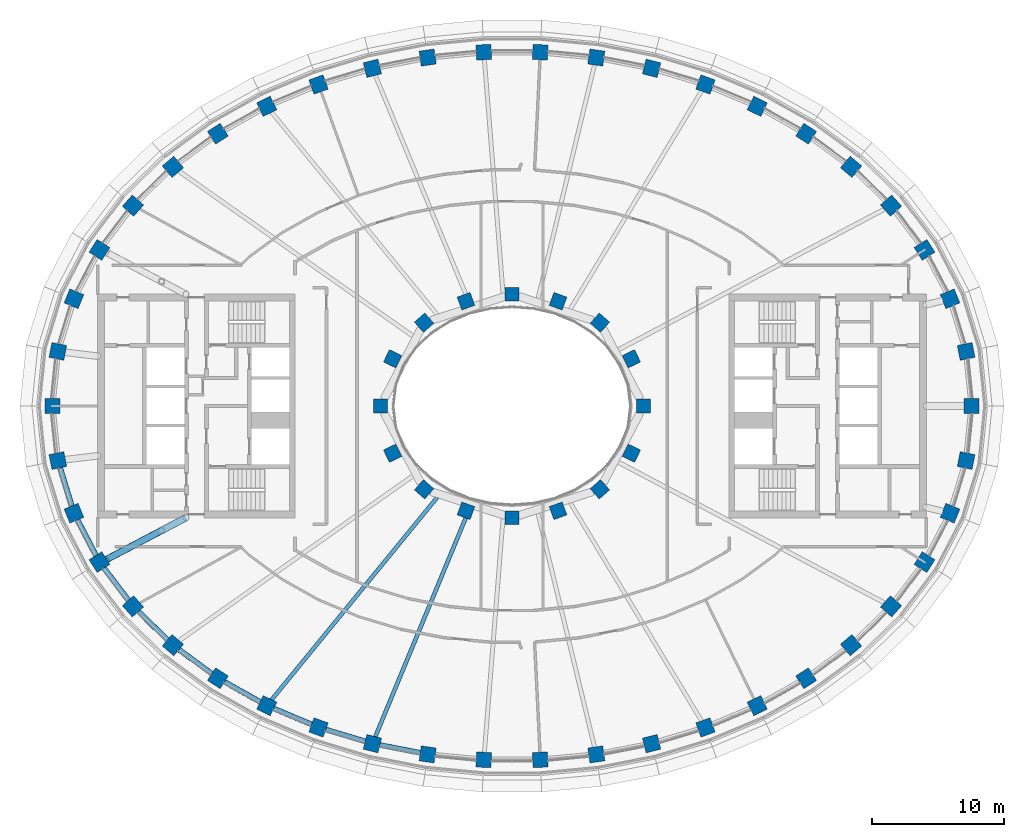
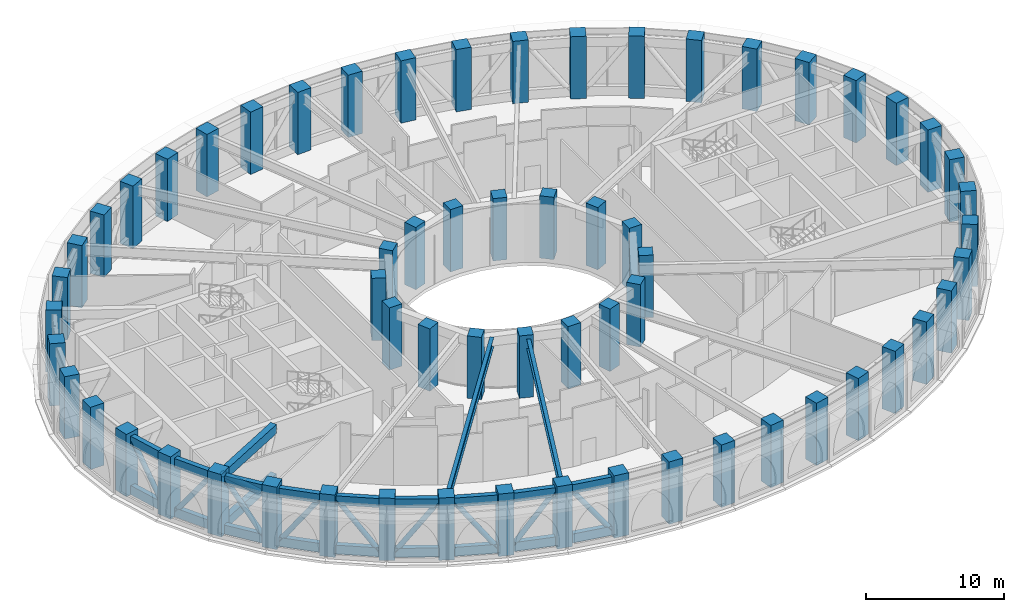
# One storey, part 1 of 25: 62 columns, 22 beams, 10 members.
"""IFC4 building model written with IfcOpenShell, lengths in metres."""

from ifc_helpers import new_model, si_unit, direction, frame, origin, origin_2d, place, context, subcontext, project, spatial, rectangle, hollow_rectangle, hollow_circle, i_section, extrude, material, material_profile, profile_set, type_object, element, save


model = new_model("IFC4")

# Units and contexts
model_context = context("Model", 3, precision=1e-05, world=origin(), true_north=direction((0.0, 1.0)))
body_context = subcontext(model_context, "Body", "Model", "MODEL_VIEW")
ifc_project = project(units=[si_unit("LENGTHUNIT", "METRE"), si_unit("AREAUNIT", "SQUARE_METRE"), si_unit("VOLUMEUNIT", "CUBIC_METRE"), si_unit("PLANEANGLEUNIT", "RADIAN"), si_unit("MASSUNIT", "GRAM", prefix="KILO")], contexts=[model_context])

# Site, building, storey
site_placement = place(None, origin())
site = spatial("IfcSite", under=ifc_project, at=site_placement, CompositionType="ELEMENT")
building_placement = place(site_placement, origin())
building = spatial("IfcBuilding", under=site, at=building_placement, Name="Noorbagh Ring Tower", CompositionType="ELEMENT")
storey_placement = place(building_placement, frame((0.0, 0.0, 198.0)))
storey = spatial("IfcBuildingStorey", under=building, at=storey_placement, Name="L46", CompositionType="ELEMENT", Elevation=198.0)

# Columns
ifc_material_1 = material(Name="Concrete C60/75", Category="concrete")
ifc_material_profile_1 = material_profile(ifc_material_1, rectangle(XDim=1.14990234375, YDim=1.14990234375, at=origin_2d()), Name="RC1150x1150")
ifc_profile_set_1 = profile_set([ifc_material_profile_1], Name="Concrete C60/75")
column_type_1 = type_object("IfcColumnType", Name="STR-COL-RC1150x1150-C60-75", PredefinedType="COLUMN", material=ifc_profile_set_1)
for number, where, z_axis, x_axis, name in (
    (1, (34.944580078125, 0.0, 0.0), (0.0, 0.0, 1.0), (0.0, 1.0, 0.0), "L46/col/R1-01"),
    (2, (34.52685546875, 4.150634765625, 0.0), (0.0, 0.0, 1.0), (-0.19723040178, 0.9803571638, 0.0), "L46/col/R1-02"),
    (3, (33.30517578125, 8.1494140625, 0.0), (0.0, 0.0, 1.0), (-0.378989499959, 0.925400971969, 0.0), "L46/col/R1-03"),
    (4, (31.364990234375, 11.87109375, 0.0), (0.0, 0.0, 1.0), (-0.535190403059, 0.844731455833, 0.0), "L46/col/R1-04"),
    (5, (28.81884765625, 15.23046875, 0.0), (0.0, 0.0, 1.0), (-0.662635642662, 0.748941923699, 0.0), "L46/col/R1-05"),
    (6, (25.78271484375, 18.180419921875, 0.0), (0.0, 0.0, 1.0), (-0.763035199656, 0.646356932419, 0.0), "L46/col/R1-06"),
    (7, (22.362060546875, 20.699951171875, 0.0), (0.0, 0.0, 1.0), (-0.840247639643, 0.542202825586, 0.0), "L46/col/R1-07"),
    (8, (18.646240234375, 22.785400390625, 0.0), (0.0, 0.0, 1.0), (-0.898399080868, 0.439180021741, 0.0), "L46/col/R1-08"),
    (9, (14.70947265625, 24.44091796875, 0.0), (0.0, 0.0, 1.0), (-0.941024726094, 0.338337797003, 0.0), "L46/col/R1-09"),
    (10, (10.61328125, 25.673583984375, 0.0), (0.0, 0.0, 1.0), (-0.970829360981, 0.239771457553, 0.0), "L46/col/R1-10"),
    (11, (6.4091796875, 26.49072265625, 0.0), (0.0, 0.0, 1.0), (-0.989713114048, 0.143066249975, 0.0), "L46/col/R1-11"),
    (12, (2.14306640625, 26.89794921875, 0.0), (0.0, 0.0, 1.0), (-0.998868731212, 0.047552684538, 0.0), "L46/col/R1-12"),
    (13, (-2.14306640625, 26.89794921875, 0.0), (0.0, 0.0, 1.0), (-0.998868731212, -0.047552684538, 0.0), "L46/col/R1-13"),
    (14, (-6.4091796875, 26.49072265625, 0.0), (0.0, 0.0, 1.0), (-0.989713114048, -0.143066249975, 0.0), "L46/col/R1-14"),
    (15, (-10.61328125, 25.673583984375, 0.0), (0.0, 0.0, 1.0), (-0.970829360981, -0.239771457553, 0.0), "L46/col/R1-15"),
    (16, (-14.70947265625, 24.44091796875, 0.0), (0.0, 0.0, 1.0), (-0.941024726094, -0.338337797003, 0.0), "L46/col/R1-16"),
    (17, (-18.646240234375, 22.785400390625, 0.0), (0.0, 0.0, 1.0), (-0.898399080868, -0.439180021741, 0.0), "L46/col/R1-17"),
    (18, (-22.362060546875, 20.699951171875, 0.0), (0.0, 0.0, 1.0), (-0.840247639643, -0.542202825586, 0.0), "L46/col/R1-18"),
    (19, (-25.78271484375, 18.180419921875, 0.0), (0.0, 0.0, 1.0), (-0.763035199656, -0.646356932419, 0.0), "L46/col/R1-19"),
    (20, (-28.81884765625, 15.23046875, 0.0), (0.0, 0.0, 1.0), (-0.662635642662, -0.748941923699, 0.0), "L46/col/R1-20"),
    (21, (-31.364990234375, 11.87109375, 0.0), (0.0, 0.0, 1.0), (-0.535190403059, -0.844731455833, 0.0), "L46/col/R1-21"),
    (22, (-33.30517578125, 8.1494140625, 0.0), (0.0, 0.0, 1.0), (-0.378989499959, -0.925400971969, 0.0), "L46/col/R1-22"),
    (23, (-34.52685546875, 4.150634765625, 0.0), (0.0, 0.0, 1.0), (-0.19723040178, -0.9803571638, 0.0), "L46/col/R1-23"),
    (24, (-34.944580078125, 0.0, 0.0), (0.0, 0.0, 1.0), (0.0, -1.0, 0.0), "L46/col/R1-24"),
    (25, (-34.52685546875, -4.150634765625, 0.0), (0.0, 0.0, 1.0), (0.19723040178, -0.9803571638, 0.0), "L46/col/R1-25"),
    (26, (-33.30517578125, -8.1494140625, 0.0), (0.0, 0.0, 1.0), (0.378989499959, -0.925400971969, 0.0), "L46/col/R1-26"),
    (27, (-31.364990234375, -11.87109375, 0.0), (0.0, 0.0, 1.0), (0.535190403059, -0.844731455833, 0.0), "L46/col/R1-27"),
    (28, (-28.81884765625, -15.23046875, 0.0), (0.0, 0.0, 1.0), (0.662635642662, -0.748941923699, 0.0), "L46/col/R1-28"),
    (29, (-25.78271484375, -18.180419921875, 0.0), (0.0, 0.0, 1.0), (0.763035199656, -0.646356932419, 0.0), "L46/col/R1-29"),
    (30, (-22.362060546875, -20.699951171875, 0.0), (0.0, 0.0, 1.0), (0.840247639643, -0.542202825586, 0.0), "L46/col/R1-30"),
    (31, (-18.646240234375, -22.785400390625, 0.0), (0.0, 0.0, 1.0), (0.898399080868, -0.439180021741, 0.0), "L46/col/R1-31"),
    (32, (-14.70947265625, -24.44091796875, 0.0), (0.0, 0.0, 1.0), (0.941024726094, -0.338337797003, 0.0), "L46/col/R1-32"),
    (33, (-10.61328125, -25.673583984375, 0.0), (0.0, 0.0, 1.0), (0.970829360981, -0.239771457553, 0.0), "L46/col/R1-33"),
    (34, (-6.4091796875, -26.49072265625, 0.0), (0.0, 0.0, 1.0), (0.989713114048, -0.143066249975, 0.0), "L46/col/R1-34"),
    (35, (-2.14306640625, -26.89794921875, 0.0), (0.0, 0.0, 1.0), (0.998868731212, -0.047552684538, 0.0), "L46/col/R1-35"),
    (36, (2.14306640625, -26.89794921875, 0.0), (0.0, 0.0, 1.0), (0.998868731212, 0.047552684538, 0.0), "L46/col/R1-36"),
    (37, (6.4091796875, -26.49072265625, 0.0), (0.0, 0.0, 1.0), (0.989713114048, 0.143066249975, 0.0), "L46/col/R1-37"),
    (38, (10.61328125, -25.673583984375, 0.0), (0.0, 0.0, 1.0), (0.970829360981, 0.239771457553, 0.0), "L46/col/R1-38"),
    (39, (14.70947265625, -24.44091796875, 0.0), (0.0, 0.0, 1.0), (0.941024726094, 0.338337797003, 0.0), "L46/col/R1-39"),
    (40, (18.646240234375, -22.785400390625, 0.0), (0.0, 0.0, 1.0), (0.898399080868, 0.439180021741, 0.0), "L46/col/R1-40"),
    (41, (22.362060546875, -20.699951171875, 0.0), (0.0, 0.0, 1.0), (0.840247639643, 0.542202825586, 0.0), "L46/col/R1-41"),
    (42, (25.78271484375, -18.180419921875, 0.0), (0.0, 0.0, 1.0), (0.763035199656, 0.646356932419, 0.0), "L46/col/R1-42"),
    (43, (28.81884765625, -15.23046875, 0.0), (0.0, 0.0, 1.0), (0.662635642662, 0.748941923699, 0.0), "L46/col/R1-43"),
    (44, (31.364990234375, -11.87109375, 0.0), (0.0, 0.0, 1.0), (0.535190403059, 0.844731455833, 0.0), "L46/col/R1-44"),
    (45, (33.30517578125, -8.1494140625, 0.0), (0.0, 0.0, 1.0), (0.378989499959, 0.925400971969, 0.0), "L46/col/R1-45"),
    (46, (34.52685546875, -4.150634765625, 0.0), (0.0, 0.0, 1.0), (0.19723040178, 0.9803571638, 0.0), "L46/col/R1-46"),
):
    element("IfcColumn", number, at=place(storey_placement, frame(where, z_axis=z_axis, x_axis=x_axis)), inside=storey, type_object=column_type_1, Name=name, PredefinedType="COLUMN", context=body_context, shape_type="SweptSolid", body=[
        extrude(rectangle(XDim=1.14990234375, YDim=1.14990234375, at=origin_2d()), origin(), (0.0, 0.0, 1.0), 5.5),
    ])
ifc_material_2 = material(Name="Concrete C60/75", Category="concrete")
ifc_material_profile_2 = material_profile(ifc_material_2, rectangle(XDim=1.050048828125, YDim=1.050048828125, at=origin_2d()), Name="RC1050x1050")
ifc_profile_set_2 = profile_set([ifc_material_profile_2], Name="Concrete C60/75")
column_type_2 = type_object("IfcColumnType", Name="STR-ICOL-RC1050x1050-C60-75", PredefinedType="COLUMN", material=ifc_profile_set_2)
for number, where, z_axis, x_axis, name in (
    (47, (10.00830078125, 0.0, 0.0), (0.0, 0.0, 1.0), (0.0, 1.0, 0.0), "L46/col/IR2-W01"),
    (48, (9.07568359375, 3.58837890625, 0.0), (0.0, 0.0, 1.0), (-0.428666979171, 0.903462573087, 0.0), "L46/col/IR2-W03"),
    (49, (6.68212890625, 6.333740234375, 0.0), (0.0, 0.0, 1.0), (-0.75102249095, 0.660276622399, 0.0), "L46/col/IR2-W05"),
    (50, (3.5009765625, 7.967041015625, 0.0), (0.0, 0.0, 1.0), (-0.939019578916, 0.343863679984, 0.0), "L46/col/IR2-W07"),
    (51, (0.0, 8.5029296875, 0.0), (0.0, 0.0, 1.0), (-1.0, 0.0, 0.0), "L46/col/IR2-W09"),
    (52, (-3.5009765625, 7.967041015625, 0.0), (0.0, 0.0, 1.0), (-0.939019578916, -0.343863679984, 0.0), "L46/col/IR2-W11"),
    (53, (-6.68212890625, 6.333740234375, 0.0), (0.0, 0.0, 1.0), (-0.75102249095, -0.660276622399, 0.0), "L46/col/IR2-W13"),
    (54, (-9.07568359375, 3.58837890625, 0.0), (0.0, 0.0, 1.0), (-0.428666979171, -0.903462573087, 0.0), "L46/col/IR2-W15"),
    (55, (-10.00830078125, 0.0, 0.0), (0.0, 0.0, 1.0), (0.0, -1.0, 0.0), "L46/col/IR2-W17"),
    (56, (-9.07568359375, -3.58837890625, 0.0), (0.0, 0.0, 1.0), (0.428666979171, -0.903462573087, 0.0), "L46/col/IR2-W19"),
    (57, (-6.68212890625, -6.333740234375, 0.0), (0.0, 0.0, 1.0), (0.75102249095, -0.660276622399, 0.0), "L46/col/IR2-W21"),
    (58, (-3.5009765625, -7.967041015625, 0.0), (0.0, 0.0, 1.0), (0.939019578916, -0.343863679984, 0.0), "L46/col/IR2-W23"),
    (59, (0.0, -8.5029296875, 0.0), (0.0, 0.0, 1.0), (1.0, 0.0, 0.0), "L46/col/IR2-W25"),
    (60, (3.5009765625, -7.967041015625, 0.0), (0.0, 0.0, 1.0), (0.939019578916, 0.343863679984, 0.0), "L46/col/IR2-W27"),
    (61, (6.68212890625, -6.333740234375, 0.0), (0.0, 0.0, 1.0), (0.75102249095, 0.660276622399, 0.0), "L46/col/IR2-W29"),
    (62, (9.07568359375, -3.58837890625, 0.0), (0.0, 0.0, 1.0), (0.428666979171, 0.903462573087, 0.0), "L46/col/IR2-W31"),
):
    element("IfcColumn", number, at=place(storey_placement, frame(where, z_axis=z_axis, x_axis=x_axis)), inside=storey, type_object=column_type_2, Name=name, PredefinedType="COLUMN", context=body_context, shape_type="SweptSolid", body=[
        extrude(rectangle(XDim=1.050048828125, YDim=1.050048828125, at=origin_2d()), origin(), (0.0, 0.0, 1.0), 5.5),
    ])

# Beams
ifc_material_3 = material(Name="Steel S460", Category="steel")
ifc_material_profile_3 = material_profile(ifc_material_3, hollow_rectangle(XDim=0.39990234375, YDim=0.800048828125, WallThickness=0.031982421875, at=origin_2d()), Name="BOX800x400x32")
ifc_profile_set_3 = profile_set([ifc_material_profile_3], Name="Steel S460")
beam_type_1 = type_object("IfcBeamType", Name="STR-BELT-TRUSS-CHORD-BOX800x400x32-S460", PredefinedType="BEAM", material=ifc_profile_set_3)
for number, where, z_axis, x_axis, name in (
    (63, (-34.36376953125, -4.68408203125, 0.39990234375), (0.2921659349, -0.956367641906, 0.0), (0.956367641906, 0.2921659349, 0.0), "Belt truss chord"),
    (64, (-34.36376953125, -4.68408203125, 4.75), (0.2921659349, -0.956367641906, 0.0), (0.956367641906, 0.2921659349, 0.0), "Belt truss chord"),
):
    element("IfcBeam", number, at=place(storey_placement, frame(where, z_axis=z_axis, x_axis=x_axis)), inside=storey, type_object=beam_type_1, Name=name, PredefinedType="BEAM", context=body_context, shape_type="SweptSolid", body=[
        extrude(hollow_rectangle(XDim=0.39990234375, YDim=0.800048828125, WallThickness=0.031982421875, at=origin_2d()), origin(), (0.0, 0.0, 1.0), 3.06591796875),
    ])
for number, where, z_axis, x_axis, name in (
    (65, (-33.047607421875, -8.6435546875, 0.39990234375), (0.462292608065, -0.886727435308, 0.0), (0.886727435308, 0.462292608065, 0.0), "Belt truss chord"),
    (66, (-33.047607421875, -8.6435546875, 4.75), (0.462292608065, -0.886727435308, 0.0), (0.886727435308, 0.462292608065, 0.0), "Belt truss chord"),
):
    element("IfcBeam", number, at=place(storey_placement, frame(where, z_axis=z_axis, x_axis=x_axis)), inside=storey, type_object=beam_type_1, Name=name, PredefinedType="BEAM", context=body_context, shape_type="SweptSolid", body=[
        extrude(hollow_rectangle(XDim=0.39990234375, YDim=0.800048828125, WallThickness=0.031982421875, at=origin_2d()), origin(), (0.0, 0.0, 1.0), 3.08251953125),
    ])
for number, where, z_axis, x_axis, name in (
    (67, (-31.028564453125, -12.31494140625, 0.39990234375), (0.604034981443, -0.796957803898, 0.0), (0.796957803898, 0.604034981443, 0.0), "Belt truss chord"),
    (68, (-31.028564453125, -12.31494140625, 4.75), (0.604034981443, -0.796957803898, 0.0), (0.796957803898, 0.604034981443, 0.0), "Belt truss chord"),
):
    element("IfcBeam", number, at=place(storey_placement, frame(where, z_axis=z_axis, x_axis=x_axis)), inside=storey, type_object=beam_type_1, Name=name, PredefinedType="BEAM", context=body_context, shape_type="SweptSolid", body=[
        extrude(hollow_rectangle(XDim=0.39990234375, YDim=0.800048828125, WallThickness=0.031982421875, at=origin_2d()), origin(), (0.0, 0.0, 1.0), 3.101806640625),
    ])
for number, where, z_axis, x_axis, name in (
    (69, (-28.419677734375, -15.618408203125, 0.39990234375), (0.717243627205, -0.696822487606, 0.0), (0.696822487606, 0.717243627205, 0.0), "Belt truss chord"),
    (70, (-28.419677734375, -15.618408203125, 4.75), (0.717243627205, -0.696822487606, 0.0), (0.696822487606, 0.717243627205, 0.0), "Belt truss chord"),
):
    element("IfcBeam", number, at=place(storey_placement, frame(where, z_axis=z_axis, x_axis=x_axis)), inside=storey, type_object=beam_type_1, Name=name, PredefinedType="BEAM", context=body_context, shape_type="SweptSolid", body=[
        extrude(hollow_rectangle(XDim=0.39990234375, YDim=0.800048828125, WallThickness=0.031982421875, at=origin_2d()), origin(), (0.0, 0.0, 1.0), 3.120361328125),
    ])
for number, where, z_axis, x_axis, name in (
    (71, (-25.334716796875, -18.51025390625, 0.39990234375), (0.805145840143, -0.593076871999, 0.0), (0.593076871999, 0.805145840143, 0.0), "Belt truss chord"),
    (72, (-25.334716796875, -18.51025390625, 4.75), (0.805145840143, -0.593076871999, 0.0), (0.593076871999, 0.805145840143, 0.0), "Belt truss chord"),
):
    element("IfcBeam", number, at=place(storey_placement, frame(where, z_axis=z_axis, x_axis=x_axis)), inside=storey, type_object=beam_type_1, Name=name, PredefinedType="BEAM", context=body_context, shape_type="SweptSolid", body=[
        extrude(hollow_rectangle(XDim=0.39990234375, YDim=0.800048828125, WallThickness=0.031982421875, at=origin_2d()), origin(), (0.0, 0.0, 1.0), 3.135986328125),
    ])
for number, where, z_axis, x_axis, name in (
    (73, (-21.877197265625, -20.97216796875, 0.39990234375), (0.87203893693, -0.489436505053, 0.0), (0.489436505053, 0.87203893693, 0.0), "Belt truss chord"),
    (74, (-21.877197265625, -20.97216796875, 4.75), (0.87203893693, -0.489436505053, 0.0), (0.489436505053, 0.87203893693, 0.0), "Belt truss chord"),
):
    element("IfcBeam", number, at=place(storey_placement, frame(where, z_axis=z_axis, x_axis=x_axis)), inside=storey, type_object=beam_type_1, Name=name, PredefinedType="BEAM", context=body_context, shape_type="SweptSolid", body=[
        extrude(hollow_rectangle(XDim=0.39990234375, YDim=0.800048828125, WallThickness=0.031982421875, at=origin_2d()), origin(), (0.0, 0.0, 1.0), 3.149169921875),
    ])
for number, where, z_axis, x_axis, name in (
    (75, (-18.1337890625, -23.0009765625, 0.39990234375), (0.921825849556, -0.387604312528, 0.0), (0.387604312528, 0.921825849556, 0.0), "Belt truss chord"),
    (76, (-18.1337890625, -23.0009765625, 4.75), (0.921825849556, -0.387604312528, 0.0), (0.387604312528, 0.921825849556, 0.0), "Belt truss chord"),
):
    element("IfcBeam", number, at=place(storey_placement, frame(where, z_axis=z_axis, x_axis=x_axis)), inside=storey, type_object=beam_type_1, Name=name, PredefinedType="BEAM", context=body_context, shape_type="SweptSolid", body=[
        extrude(hollow_rectangle(XDim=0.39990234375, YDim=0.800048828125, WallThickness=0.031982421875, at=origin_2d()), origin(), (0.0, 0.0, 1.0), 3.15869140625),
    ])
for number, where, z_axis, x_axis, name in (
    (77, (-14.17724609375, -24.60107421875, 0.39990234375), (0.957586143245, -0.288147146897, 0.0), (0.288147146897, 0.957586143245, 0.0), "Belt truss chord"),
    (78, (-14.17724609375, -24.60107421875, 4.75), (0.957586143245, -0.288147146897, 0.0), (0.288147146897, 0.957586143245, 0.0), "Belt truss chord"),
):
    element("IfcBeam", number, at=place(storey_placement, frame(where, z_axis=z_axis, x_axis=x_axis)), inside=storey, type_object=beam_type_1, Name=name, PredefinedType="BEAM", context=body_context, shape_type="SweptSolid", body=[
        extrude(hollow_rectangle(XDim=0.39990234375, YDim=0.800048828125, WallThickness=0.031982421875, at=origin_2d()), origin(), (0.0, 0.0, 1.0), 3.166259765625),
    ])
for number, where, z_axis, x_axis, name in (
    (79, (-10.067626953125, -25.77978515625, 0.39990234375), (0.98163221506, -0.190783108151, 0.0), (0.190783108151, 0.98163221506, 0.0), "Belt truss chord"),
    (80, (-10.067626953125, -25.77978515625, 4.75), (0.98163221506, -0.190783108151, 0.0), (0.190783108151, 0.98163221506, 0.0), "Belt truss chord"),
):
    element("IfcBeam", number, at=place(storey_placement, frame(where, z_axis=z_axis, x_axis=x_axis)), inside=storey, type_object=beam_type_1, Name=name, PredefinedType="BEAM", context=body_context, shape_type="SweptSolid", body=[
        extrude(hollow_rectangle(XDim=0.39990234375, YDim=0.800048828125, WallThickness=0.031982421875, at=origin_2d()), origin(), (0.0, 0.0, 1.0), 3.171142578125),
    ])

# Members
ifc_material_4 = material(Name="Steel S355", Category="steel")
ifc_material_profile_4 = material_profile(ifc_material_4, hollow_circle(Radius=0.203125, WallThickness=0.01611328125, at=origin_2d()), Name="CHS406.4x16")
ifc_profile_set_4 = profile_set([ifc_material_profile_4], Name="Steel S355")
member_type_1 = type_object("IfcMemberType", Name="STR-BELT-TRUSS-DIAGONAL-CHS406.4x16", PredefinedType="BRACE", material=ifc_profile_set_4)
member_1_placement = place(storey_placement, frame((-33.468017578125, -7.6162109375, 0.39990234375), z_axis=(-0.168312884344, 0.550950597159, 0.817388654469), x_axis=(-0.956367641906, -0.2921659349, 0.0)))
element("IfcMember", 81, at=member_1_placement, inside=storey, type_object=member_type_1, Name="Belt truss diagonal", PredefinedType="BRACE", context=body_context, shape_type="SweptSolid", body=[
    extrude(hollow_circle(Radius=0.203125, WallThickness=0.01611328125, at=origin_2d()), origin(), (0.0, 0.0, 1.0), 5.322021484375),
])
member_2_placement = place(storey_placement, frame((-33.047607421875, -8.6435546875, 0.39990234375), z_axis=(0.267285298438, -0.51268223425, 0.815913902274), x_axis=(0.886727435308, 0.462292608065, 0.0)))
element("IfcMember", 82, at=member_2_placement, inside=storey, type_object=member_type_1, Name="Belt truss diagonal", PredefinedType="BRACE", context=body_context, shape_type="SweptSolid", body=[
    extrude(hollow_circle(Radius=0.203125, WallThickness=0.01611328125, at=origin_2d()), origin(), (0.0, 0.0, 1.0), 5.33154296875),
])
member_3_placement = place(storey_placement, frame((-29.155029296875, -14.786865234375, 0.39990234375), z_axis=(-0.350675366589, 0.462677624018, 0.81422122516), x_axis=(-0.796957803898, -0.604034981443, 0.0)))
element("IfcMember", 83, at=member_3_placement, inside=storey, type_object=member_type_1, Name="Belt truss diagonal", PredefinedType="BRACE", context=body_context, shape_type="SweptSolid", body=[
    extrude(hollow_circle(Radius=0.203125, WallThickness=0.01611328125, at=origin_2d()), origin(), (0.0, 0.0, 1.0), 5.342529296875),
])
member_4_placement = place(storey_placement, frame((-28.419677734375, -15.618408203125, 0.39990234375), z_axis=(0.418052300959, -0.406149644631, 0.812572913546), x_axis=(0.696822487606, 0.717243627205, 0.0)))
element("IfcMember", 84, at=member_4_placement, inside=storey, type_object=member_type_1, Name="Belt truss diagonal", PredefinedType="BRACE", context=body_context, shape_type="SweptSolid", body=[
    extrude(hollow_circle(Radius=0.203125, WallThickness=0.01611328125, at=origin_2d()), origin(), (0.0, 0.0, 1.0), 5.353515625),
])
member_5_placement = place(storey_placement, frame((-22.809814453125, -20.3701171875, 0.39990234375), z_axis=(-0.470834709188, 0.346820616379, 0.811190567425), x_axis=(-0.593076871999, -0.805145840143, 0.0)))
element("IfcMember", 85, at=member_5_placement, inside=storey, type_object=member_type_1, Name="Belt truss diagonal", PredefinedType="BRACE", context=body_context, shape_type="SweptSolid", body=[
    extrude(hollow_circle(Radius=0.203125, WallThickness=0.01611328125, at=origin_2d()), origin(), (0.0, 0.0, 1.0), 5.362548828125),
])
member_6_placement = place(storey_placement, frame((-21.877197265625, -20.97216796875, 0.39990234375), z_axis=(0.511350599537, -0.286998251678, 0.810032448663), x_axis=(0.489436505053, 0.87203893693, 0.0)))
element("IfcMember", 86, at=member_6_placement, inside=storey, type_object=member_type_1, Name="Belt truss diagonal", PredefinedType="BRACE", context=body_context, shape_type="SweptSolid", body=[
    extrude(hollow_circle(Radius=0.203125, WallThickness=0.01611328125, at=origin_2d()), origin(), (0.0, 0.0, 1.0), 5.370361328125),
])
member_7_placement = place(storey_placement, frame((-15.221923828125, -24.225341796875, 0.39990234375), z_axis=(-0.541641570646, 0.227746497593, 0.809169909094), x_axis=(-0.387604312528, -0.921825849556, 0.0)))
element("IfcMember", 87, at=member_7_placement, inside=storey, type_object=member_type_1, Name="Belt truss diagonal", PredefinedType="BRACE", context=body_context, shape_type="SweptSolid", body=[
    extrude(hollow_circle(Radius=0.203125, WallThickness=0.01611328125, at=origin_2d()), origin(), (0.0, 0.0, 1.0), 5.3759765625),
])
member_8_placement = place(storey_placement, frame((-14.17724609375, -24.60107421875, 0.39990234375), z_axis=(0.563524077368, -0.169569971586, 0.808508898506), x_axis=(0.288147146897, 0.957586143245, 0.0)))
element("IfcMember", 88, at=member_8_placement, inside=storey, type_object=member_type_1, Name="Belt truss diagonal", PredefinedType="BRACE", context=body_context, shape_type="SweptSolid", body=[
    extrude(hollow_circle(Radius=0.203125, WallThickness=0.01611328125, at=origin_2d()), origin(), (0.0, 0.0, 1.0), 5.38037109375),
])
member_9_placement = place(storey_placement, frame((-6.954833984375, -26.384765625, 0.39990234375), z_axis=(-0.578242229453, 0.112383078007, 0.80808784662), x_axis=(-0.190783108151, -0.98163221506, 0.0)))
element("IfcMember", 89, at=member_9_placement, inside=storey, type_object=member_type_1, Name="Belt truss diagonal", PredefinedType="BRACE", context=body_context, shape_type="SweptSolid", body=[
    extrude(hollow_circle(Radius=0.203125, WallThickness=0.01611328125, at=origin_2d()), origin(), (0.0, 0.0, 1.0), 5.38330078125),
])

# Beams
ifc_material_5 = material(Name="Steel S460", Category="steel")
ifc_material_profile_5 = material_profile(ifc_material_5, hollow_rectangle(XDim=0.5, YDim=0.800048828125, WallThickness=0.0400390625, at=origin_2d()), Name="BOX800x500x40")
ifc_profile_set_5 = profile_set([ifc_material_profile_5], Name="Steel S460")
beam_type_2 = type_object("IfcBeamType", Name="STR-OUTRIGGER-TRUSS-CHORD-BOX800x500x40-S460", PredefinedType="BEAM", material=ifc_profile_set_5)
for number, where, z_axis, x_axis, name in (
    (90, (-30.834716796875, -11.670166015625, 0.39990234375), (0.885184838825, 0.465239509409, 0.0), (-0.465239509409, 0.885184838825, 0.0), "Outrigger truss chord"),
    (91, (-30.834716796875, -11.670166015625, 4.75), (0.885184838825, 0.465239509409, 0.0), (-0.465239509409, 0.885184838825, 0.0), "Outrigger truss chord"),
):
    element("IfcBeam", number, at=place(storey_placement, frame(where, z_axis=z_axis, x_axis=x_axis)), inside=storey, type_object=beam_type_2, Name=name, PredefinedType="BEAM", context=body_context, shape_type="SweptSolid", body=[
        extrude(hollow_rectangle(XDim=0.5, YDim=0.800048828125, WallThickness=0.0400390625, at=origin_2d()), origin(), (0.0, 0.0, 1.0), 6.829345703125),
    ])

# Member
ifc_material_6 = material(Name="Steel S355", Category="steel")
ifc_material_profile_6 = material_profile(ifc_material_6, hollow_circle(Radius=0.25390625, WallThickness=0.02490234375, at=origin_2d()), Name="CHS508x25")
ifc_profile_set_6 = profile_set([ifc_material_profile_6], Name="Steel S355")
member_type_2 = type_object("IfcMemberType", Name="STR-OUTRIGGER-TRUSS-DIAGONAL-CHS508x25", PredefinedType="BRACE", material=ifc_profile_set_6)
member_10_placement = place(storey_placement, frame((-26.63720703125, -9.464111328125, 0.39990234375), z_axis=(-0.652294535186, -0.342821696035, 0.676006748557), x_axis=(0.465224347601, -0.885192807471, 0.0)))
element("IfcMember", 92, at=member_10_placement, inside=storey, type_object=member_type_2, Name="Outrigger truss diagonal", PredefinedType="BRACE", context=body_context, shape_type="SweptSolid", body=[
    extrude(hollow_circle(Radius=0.25390625, WallThickness=0.02490234375, at=origin_2d()), origin(), (0.0, 0.0, 1.0), 6.43505859375),
])

# Beams
ifc_material_7 = material(Name="Steel S355", Category="steel")
ifc_material_profile_7 = material_profile(ifc_material_7, i_section(OverallWidth=0.300048828125, OverallDepth=0.85009765625, WebThickness=0.013916015625, FlangeThickness=0.028076171875, at=origin_2d()), Name="PG850x300x14x28")
ifc_profile_set_7 = profile_set([ifc_material_profile_7], Name="Steel S355")
beam_type_3 = type_object("IfcBeamType", Name="STR-RAD-PG850x300x14x28", PredefinedType="BEAM", material=ifc_profile_set_7)
beam_1_placement = place(storey_placement, frame((-18.284912109375, -22.34375, 4.72509765625), z_axis=(0.633309312675, 0.773898775344, 0.0), x_axis=(-0.773898775344, 0.633309312675, 0.0)))
element("IfcBeam", 93, at=beam_1_placement, inside=storey, type_object=beam_type_3, Name="L46/bm/RD31", PredefinedType="BEAM", context=body_context, shape_type="SweptSolid", body=[
    extrude(i_section(OverallWidth=0.300048828125, OverallDepth=0.85009765625, WebThickness=0.013916015625, FlangeThickness=0.028076171875, at=origin_2d()), origin(), (0.0, 0.0, 1.0), 19.888671875),
])
beam_2_placement = place(storey_placement, frame((-10.398681640625, -25.15478515625, 4.72509765625), z_axis=(0.382029145197, 0.924150275778, 0.0), x_axis=(-0.924150275778, 0.382029145197, 0.0)))
element("IfcBeam", 94, at=beam_2_placement, inside=storey, type_object=beam_type_3, Name="L46/bm/RD33", PredefinedType="BEAM", context=body_context, shape_type="SweptSolid", body=[
    extrude(i_section(OverallWidth=0.300048828125, OverallDepth=0.85009765625, WebThickness=0.013916015625, FlangeThickness=0.028076171875, at=origin_2d()), origin(), (0.0, 0.0, 1.0), 18.826171875),
])

save(model, "model.ifc")
